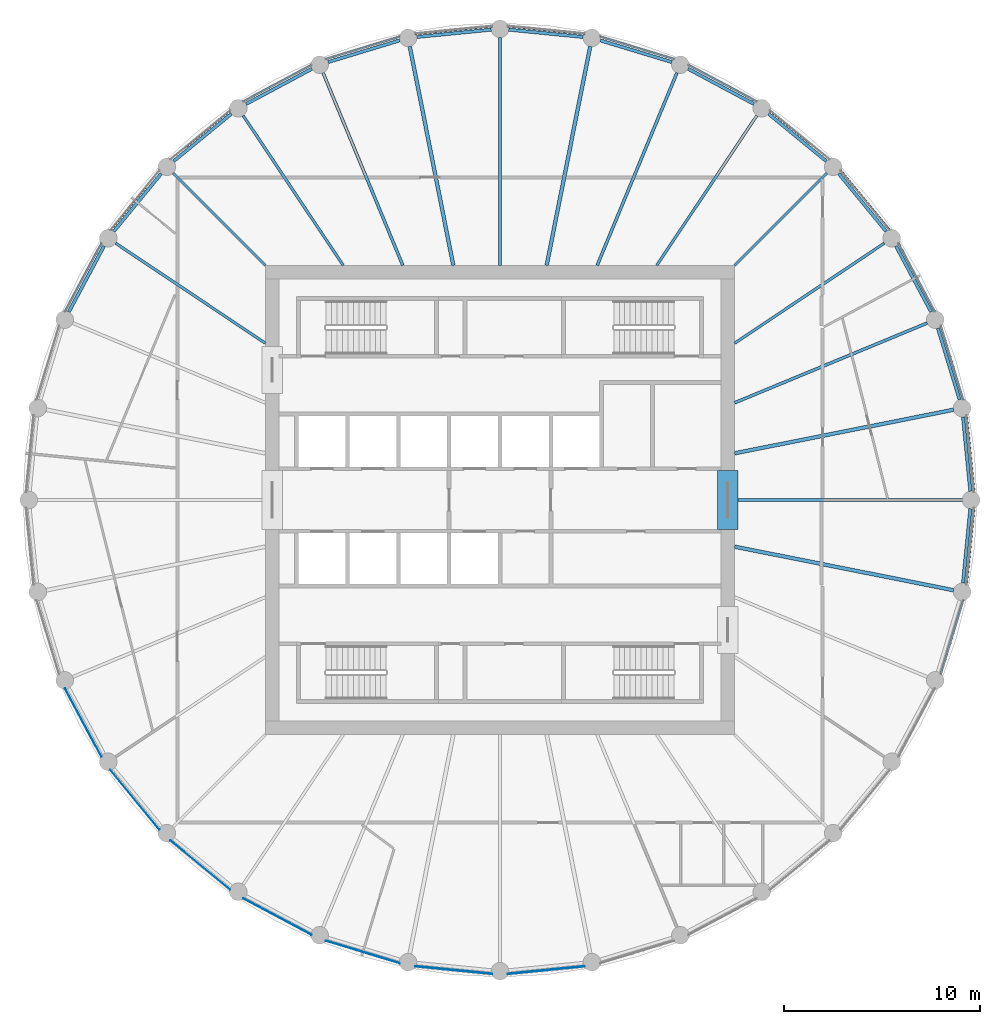
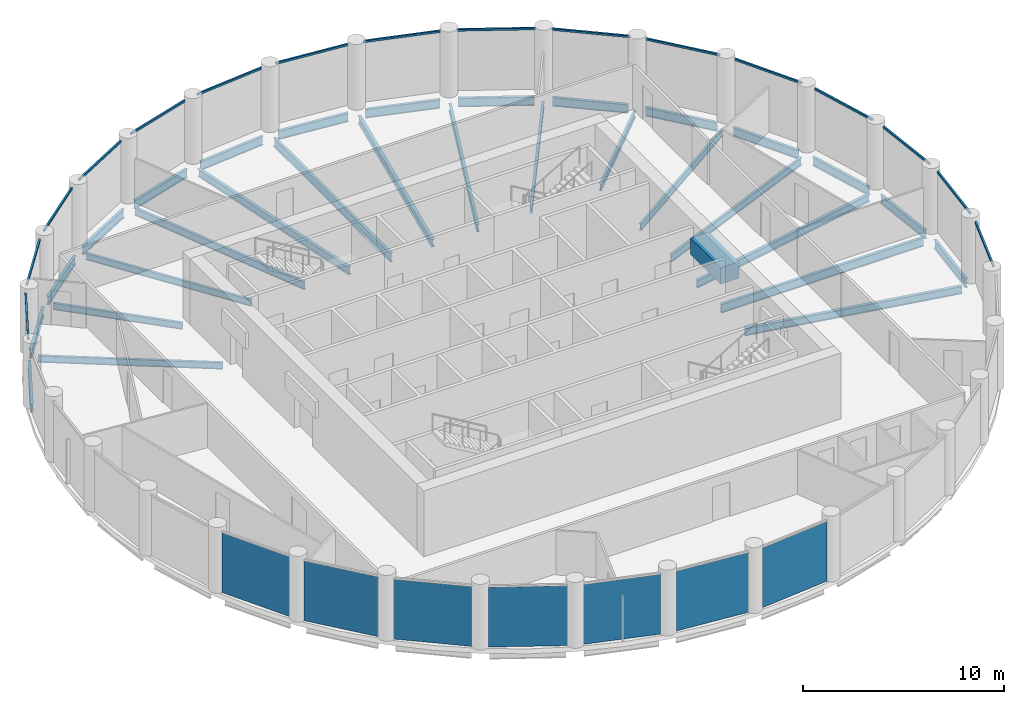
# One storey, part 2 of 7: 31 beams, 16 members, 7 plates, 23 elements without a shape of their own.
"""IFC4 building model written with IfcOpenShell, lengths in metres."""

from ifc_helpers import new_model, si_unit, direction, frame, origin, origin_2d, place, context, subcontext, project, spatial, rectangle, i_section, extrude, material, layer, layer_set, material_profile, profile_set, type_object, element, aggregate, save


model = new_model("IFC4")

# Units and contexts
model_context = context("Model", 3, precision=1e-05, world=origin(), true_north=direction((0.0, 1.0)))
body_context = subcontext(model_context, "Body", "Model", "MODEL_VIEW")
ifc_project = project(units=[si_unit("LENGTHUNIT", "METRE"), si_unit("AREAUNIT", "SQUARE_METRE"), si_unit("VOLUMEUNIT", "CUBIC_METRE"), si_unit("PLANEANGLEUNIT", "RADIAN"), si_unit("MASSUNIT", "GRAM", prefix="KILO")], contexts=[model_context])

# Site, building, storey
site_placement = place(None, origin())
site = spatial("IfcSite", under=ifc_project, at=site_placement, CompositionType="ELEMENT")
building_placement = place(site_placement, origin())
building = spatial("IfcBuilding", under=site, at=building_placement, Name="Corvane Civic Tower", CompositionType="ELEMENT")
storey_placement = place(building_placement, frame((0.0, 0.0, 271.0)))
storey = spatial("IfcBuildingStorey", under=building, at=storey_placement, Name="L64", CompositionType="ELEMENT", Elevation=271.0)

# Beams
ifc_material_1 = material(Name="Concrete C40/50", Category="concrete")
ifc_material_profile_1 = material_profile(ifc_material_1, rectangle(XDim=1.050048828125, YDim=1.0, at=origin_2d()), Name="COUPLING BEAM 1050X1000")
ifc_profile_set_1 = profile_set([ifc_material_profile_1], Name="Concrete C40/50")
beam_type_1 = type_object("IfcBeamType", Name="COUPLING BEAM COUPLING BEAM 1050X1000", PredefinedType="BEAM", material=ifc_profile_set_1)
beam_1_placement = place(storey_placement, frame((11.64990234375, -1.5, 2.60009765625), z_axis=(0.0, 1.0, 0.0), x_axis=(-1.0, 0.0, 0.0)))
element("IfcBeam", 1, at=beam_1_placement, inside=storey, type_object=beam_type_1, Name="BM-L64-cpl-CW-LE", PredefinedType="BEAM", context=body_context, shape_type="SweptSolid", body=[
    extrude(rectangle(XDim=1.050048828125, YDim=1.0, at=origin_2d()), origin(), (0.0, 0.0, 1.0), 3.0),
])
ifc_material_2 = material(Name="Steel ASTM A992 Gr 50", Category="steel")
ifc_material_profile_2 = material_profile(ifc_material_2, i_section(OverallWidth=0.165771484375, OverallDepth=0.5283203125, WebThickness=0.009765625, FlangeThickness=0.013671875, at=origin_2d()), Name="W21X50")
ifc_profile_set_2 = profile_set([ifc_material_profile_2], Name="Steel ASTM A992 Gr 50")
beam_type_2 = type_object("IfcBeamType", Name="EDGE BEAM W21X50", PredefinedType="BEAM", material=ifc_profile_set_2)
for number, where, z_axis, x_axis, name in (
    (2, (0.44775390625, 24.055908203125, -0.564208984375), (0.995187721162, -0.097986732007, 0.0), (0.097986732007, 0.995187721162, 0.0), "BM-L64-E01"),
    (3, (5.13232421875, 23.50634765625, -0.564208984375), (0.95692555902, -0.290333385085, 0.0), (0.290333385085, 0.95692555902, 0.0), "BM-L64-E02"),
):
    element("IfcBeam", number, at=place(storey_placement, frame(where, z_axis=z_axis, x_axis=x_axis)), inside=storey, type_object=beam_type_2, Name=name, PredefinedType="BEAM", context=body_context, shape_type="SweptSolid", body=[
        extrude(i_section(OverallWidth=0.165771484375, OverallDepth=0.5283203125, WebThickness=0.009765625, FlangeThickness=0.013671875, at=origin_2d()), origin(), (0.0, 0.0, 1.0), 3.824462890625),
    ])
beam_2_placement = place(storey_placement, frame((9.61962890625, 22.05322265625, -0.564208984375), z_axis=(0.881914279413, -0.471409804487, 0.0), x_axis=(0.471409804487, 0.881914279413, 0.0)))
element("IfcBeam", 4, at=beam_2_placement, inside=storey, type_object=beam_type_2, Name="BM-L64-E03", PredefinedType="BEAM", context=body_context, shape_type="SweptSolid", body=[
    extrude(i_section(OverallWidth=0.165771484375, OverallDepth=0.5283203125, WebThickness=0.009765625, FlangeThickness=0.013671875, at=origin_2d()), origin(), (0.0, 0.0, 1.0), 3.82421875),
])
for number, where, z_axis, x_axis, name in (
    (5, (13.737060546875, 19.7529296875, -0.564208984375), (0.772997914867, -0.634408562057, 0.0), (0.634408562057, 0.772997914867, 0.0), "BM-L64-E04"),
    (6, (17.32666015625, 16.693359375, -0.564208984375), (0.634408562057, -0.772997914867, 0.0), (0.772997914867, 0.634408562057, 0.0), "BM-L64-E05"),
):
    element("IfcBeam", number, at=place(storey_placement, frame(where, z_axis=z_axis, x_axis=x_axis)), inside=storey, type_object=beam_type_2, Name=name, PredefinedType="BEAM", context=body_context, shape_type="SweptSolid", body=[
        extrude(i_section(OverallWidth=0.165771484375, OverallDepth=0.5283203125, WebThickness=0.009765625, FlangeThickness=0.013671875, at=origin_2d()), origin(), (0.0, 0.0, 1.0), 3.824462890625),
    ])
beam_3_placement = place(storey_placement, frame((20.25048828125, 12.9921875, -0.564208984375), z_axis=(0.471409804487, -0.881914279413, 0.0), x_axis=(0.881914279413, 0.471409804487, 0.0)))
element("IfcBeam", 7, at=beam_3_placement, inside=storey, type_object=beam_type_2, Name="BM-L64-E06", PredefinedType="BEAM", context=body_context, shape_type="SweptSolid", body=[
    extrude(i_section(OverallWidth=0.165771484375, OverallDepth=0.5283203125, WebThickness=0.009765625, FlangeThickness=0.013671875, at=origin_2d()), origin(), (0.0, 0.0, 1.0), 3.82421875),
])
for number, where, z_axis, x_axis, name in (
    (8, (22.39599609375, 8.7919921875, -0.564208984375), (0.290333385085, -0.95692555902, 0.0), (0.95692555902, 0.290333385085, 0.0), "BM-L64-E07"),
    (9, (23.68115234375, 4.25390625, -0.564208984375), (0.097986732007, -0.995187721162, 0.0), (0.995187721162, 0.097986732007, 0.0), "BM-L64-E08"),
    (10, (24.055908203125, -0.44775390625, -0.564208984375), (-0.097986732007, -0.995187721162, 0.0), (0.995187721162, -0.097986732007, 0.0), "BM-L64-E09"),
):
    element("IfcBeam", number, at=place(storey_placement, frame(where, z_axis=z_axis, x_axis=x_axis)), inside=storey, type_object=beam_type_2, Name=name, PredefinedType="BEAM", context=body_context, shape_type="SweptSolid", body=[
        extrude(i_section(OverallWidth=0.165771484375, OverallDepth=0.5283203125, WebThickness=0.009765625, FlangeThickness=0.013671875, at=origin_2d()), origin(), (0.0, 0.0, 1.0), 3.824462890625),
    ])
beam_4_placement = place(storey_placement, frame((-22.05322265625, 9.61962890625, -0.564208984375), z_axis=(0.471409804487, 0.881914279413, 0.0), x_axis=(-0.881914279413, 0.471409804487, 0.0)))
element("IfcBeam", 11, at=beam_4_placement, inside=storey, type_object=beam_type_2, Name="BM-L64-E27", PredefinedType="BEAM", context=body_context, shape_type="SweptSolid", body=[
    extrude(i_section(OverallWidth=0.165771484375, OverallDepth=0.5283203125, WebThickness=0.009765625, FlangeThickness=0.013671875, at=origin_2d()), origin(), (0.0, 0.0, 1.0), 3.82421875),
])
for number, where, z_axis, x_axis, name in (
    (12, (-19.7529296875, 13.737060546875, -0.564208984375), (0.634408562057, 0.772997914867, 0.0), (-0.772997914867, 0.634408562057, 0.0), "BM-L64-E28"),
    (13, (-16.693359375, 17.32666015625, -0.564208984375), (0.772997914867, 0.634408562057, 0.0), (-0.634408562057, 0.772997914867, 0.0), "BM-L64-E29"),
):
    element("IfcBeam", number, at=place(storey_placement, frame(where, z_axis=z_axis, x_axis=x_axis)), inside=storey, type_object=beam_type_2, Name=name, PredefinedType="BEAM", context=body_context, shape_type="SweptSolid", body=[
        extrude(i_section(OverallWidth=0.165771484375, OverallDepth=0.5283203125, WebThickness=0.009765625, FlangeThickness=0.013671875, at=origin_2d()), origin(), (0.0, 0.0, 1.0), 3.824462890625),
    ])
beam_5_placement = place(storey_placement, frame((-12.9921875, 20.25048828125, -0.564208984375), z_axis=(0.881914279413, 0.471409804487, 0.0), x_axis=(-0.471409804487, 0.881914279413, 0.0)))
element("IfcBeam", 14, at=beam_5_placement, inside=storey, type_object=beam_type_2, Name="BM-L64-E30", PredefinedType="BEAM", context=body_context, shape_type="SweptSolid", body=[
    extrude(i_section(OverallWidth=0.165771484375, OverallDepth=0.5283203125, WebThickness=0.009765625, FlangeThickness=0.013671875, at=origin_2d()), origin(), (0.0, 0.0, 1.0), 3.82421875),
])
for number, where, z_axis, x_axis, name in (
    (15, (-8.7919921875, 22.39599609375, -0.564208984375), (0.95692555902, 0.290333385085, 0.0), (-0.290333385085, 0.95692555902, 0.0), "BM-L64-E31"),
    (16, (-4.25390625, 23.68115234375, -0.564208984375), (0.995187721162, 0.097986732007, 0.0), (-0.097986732007, 0.995187721162, 0.0), "BM-L64-E32"),
):
    element("IfcBeam", number, at=place(storey_placement, frame(where, z_axis=z_axis, x_axis=x_axis)), inside=storey, type_object=beam_type_2, Name=name, PredefinedType="BEAM", context=body_context, shape_type="SweptSolid", body=[
        extrude(i_section(OverallWidth=0.165771484375, OverallDepth=0.5283203125, WebThickness=0.009765625, FlangeThickness=0.013671875, at=origin_2d()), origin(), (0.0, 0.0, 1.0), 3.824462890625),
    ])
ifc_material_3 = material(Name="Steel ASTM A992 Gr 50", Category="steel")
ifc_material_profile_3 = material_profile(ifc_material_3, i_section(OverallWidth=0.140380859375, OverallDepth=0.40380859375, WebThickness=0.007080078125, FlangeThickness=0.01123046875, at=origin_2d()), Name="W16X31")
ifc_profile_set_3 = profile_set([ifc_material_profile_3], Name="Steel ASTM A992 Gr 50")
beam_type_3 = type_object("IfcBeamType", Name="FLOOR GIRDER W16X31", PredefinedType="BEAM", material=ifc_profile_set_3)
beam_6_placement = place(storey_placement, frame((8.01806640625, 12.0, -0.501953125), z_axis=(0.555567816355, 0.831471227061, 0.0), x_axis=(-0.831471227061, 0.555567816355, 0.0)))
element("IfcBeam", 17, at=beam_6_placement, inside=storey, type_object=beam_type_3, Name="BM-L64-G04", PredefinedType="BEAM", context=body_context, shape_type="SweptSolid", body=[
    extrude(i_section(OverallWidth=0.140380859375, OverallDepth=0.40380859375, WebThickness=0.007080078125, FlangeThickness=0.01123046875, at=origin_2d()), origin(), (0.0, 0.0, 1.0), 9.2177734375),
])
beam_7_placement = place(storey_placement, frame((12.0, 12.0, -0.501953125), z_axis=(0.707106781187, 0.707106781187, 0.0), x_axis=(-0.707106781187, 0.707106781187, 0.0)))
element("IfcBeam", 18, at=beam_7_placement, inside=storey, type_object=beam_type_3, Name="BM-L64-G05", PredefinedType="BEAM", context=body_context, shape_type="SweptSolid", body=[
    extrude(i_section(OverallWidth=0.140380859375, OverallDepth=0.40380859375, WebThickness=0.007080078125, FlangeThickness=0.01123046875, at=origin_2d()), origin(), (0.0, 0.0, 1.0), 6.679443359375),
])
for number, where, z_axis, x_axis, name in (
    (19, (12.0, 8.01806640625, -0.501953125), (0.831471227061, 0.555567816355, 0.0), (-0.555567816355, 0.831471227061, 0.0), "BM-L64-G06"),
    (20, (-12.0, 8.01806640625, -0.501953125), (-0.831471227061, 0.555567816355, 0.0), (-0.555567816355, -0.831471227061, 0.0), "BM-L64-G28"),
):
    element("IfcBeam", number, at=place(storey_placement, frame(where, z_axis=z_axis, x_axis=x_axis)), inside=storey, type_object=beam_type_3, Name=name, PredefinedType="BEAM", context=body_context, shape_type="SweptSolid", body=[
        extrude(i_section(OverallWidth=0.140380859375, OverallDepth=0.40380859375, WebThickness=0.007080078125, FlangeThickness=0.01123046875, at=origin_2d()), origin(), (0.0, 0.0, 1.0), 9.2177734375),
    ])
beam_8_placement = place(storey_placement, frame((-12.0, 12.0, -0.501953125), z_axis=(-0.707106781187, 0.707106781187, 0.0), x_axis=(-0.707106781187, -0.707106781187, 0.0)))
element("IfcBeam", 21, at=beam_8_placement, inside=storey, type_object=beam_type_3, Name="BM-L64-G29", PredefinedType="BEAM", context=body_context, shape_type="SweptSolid", body=[
    extrude(i_section(OverallWidth=0.140380859375, OverallDepth=0.40380859375, WebThickness=0.007080078125, FlangeThickness=0.01123046875, at=origin_2d()), origin(), (0.0, 0.0, 1.0), 6.679443359375),
])
beam_9_placement = place(storey_placement, frame((-8.01806640625, 12.0, -0.501953125), z_axis=(-0.555567816355, 0.831471227061, 0.0), x_axis=(-0.831471227061, -0.555567816355, 0.0)))
element("IfcBeam", 22, at=beam_9_placement, inside=storey, type_object=beam_type_3, Name="BM-L64-G30", PredefinedType="BEAM", context=body_context, shape_type="SweptSolid", body=[
    extrude(i_section(OverallWidth=0.140380859375, OverallDepth=0.40380859375, WebThickness=0.007080078125, FlangeThickness=0.01123046875, at=origin_2d()), origin(), (0.0, 0.0, 1.0), 9.2177734375),
])
ifc_material_4 = material(Name="Steel ASTM A992 Gr 50", Category="steel")
ifc_material_profile_4 = material_profile(ifc_material_4, i_section(OverallWidth=0.15283203125, OverallDepth=0.45458984375, WebThickness=0.008056640625, FlangeThickness=0.013427734375, at=origin_2d()), Name="W18X40")
ifc_profile_set_4 = profile_set([ifc_material_profile_4], Name="Steel ASTM A992 Gr 50")
beam_type_4 = type_object("IfcBeamType", Name="FLOOR GIRDER W18X40", PredefinedType="BEAM", material=ifc_profile_set_4)
for number, where, z_axis, x_axis, name in (
    (23, (4.970458984375, 12.0, -0.52734375), (0.382694257331, 0.923875048589, 0.0), (-0.923875048589, 0.382694257331, 0.0), "BM-L64-G03"),
    (24, (12.0, 4.970458984375, -0.52734375), (0.923875048589, 0.382694257331, 0.0), (-0.382694257331, 0.923875048589, 0.0), "BM-L64-G07"),
    (25, (-4.970458984375, 12.0, -0.52734375), (-0.382694257331, 0.923875048589, 0.0), (-0.923875048589, -0.382694257331, 0.0), "BM-L64-G31"),
):
    element("IfcBeam", number, at=place(storey_placement, frame(where, z_axis=z_axis, x_axis=x_axis)), inside=storey, type_object=beam_type_4, Name=name, PredefinedType="BEAM", context=body_context, shape_type="SweptSolid", body=[
        extrude(i_section(OverallWidth=0.15283203125, OverallDepth=0.45458984375, WebThickness=0.008056640625, FlangeThickness=0.013427734375, at=origin_2d()), origin(), (0.0, 0.0, 1.0), 10.661376953125),
    ])
ifc_material_5 = material(Name="Steel ASTM A992 Gr 50", Category="steel")
ifc_material_profile_5 = material_profile(ifc_material_5, i_section(OverallWidth=0.1904296875, OverallDepth=0.457275390625, WebThickness=0.009033203125, FlangeThickness=0.014404296875, at=origin_2d()), Name="W18X50")
ifc_profile_set_5 = profile_set([ifc_material_profile_5], Name="Steel ASTM A992 Gr 50")
beam_type_5 = type_object("IfcBeamType", Name="FLOOR GIRDER W18X50", PredefinedType="BEAM", material=ifc_profile_set_5)
for number, where, z_axis, x_axis, name in (
    (26, (2.386962890625, 12.0, -0.528564453125), (0.195079532402, 0.980787426529, 0.0), (-0.980787426529, 0.195079532402, 0.0), "BM-L64-G02"),
    (27, (12.0, 2.386962890625, -0.528564453125), (0.980787426529, 0.195079532402, 0.0), (-0.195079532402, 0.980787426529, 0.0), "BM-L64-G08"),
    (28, (12.0, -2.386962890625, -0.528564453125), (0.980787426529, -0.195079532402, 0.0), (0.195079532402, 0.980787426529, 0.0), "BM-L64-G10"),
    (29, (-2.386962890625, 12.0, -0.528564453125), (-0.195079532402, 0.980787426529, 0.0), (-0.980787426529, -0.195079532402, 0.0), "BM-L64-G32"),
):
    element("IfcBeam", number, at=place(storey_placement, frame(where, z_axis=z_axis, x_axis=x_axis)), inside=storey, type_object=beam_type_5, Name=name, PredefinedType="BEAM", context=body_context, shape_type="SweptSolid", body=[
        extrude(i_section(OverallWidth=0.1904296875, OverallDepth=0.457275390625, WebThickness=0.009033203125, FlangeThickness=0.014404296875, at=origin_2d()), origin(), (0.0, 0.0, 1.0), 11.414794921875),
    ])
ifc_material_6 = material(Name="Steel ASTM A992 Gr 50", Category="steel")
ifc_material_profile_6 = material_profile(ifc_material_6, i_section(OverallWidth=0.165771484375, OverallDepth=0.5283203125, WebThickness=0.009765625, FlangeThickness=0.013671875, at=origin_2d()), Name="W21X50")
ifc_profile_set_6 = profile_set([ifc_material_profile_6], Name="Steel ASTM A992 Gr 50")
beam_type_6 = type_object("IfcBeamType", Name="FLOOR GIRDER W21X50", PredefinedType="BEAM", material=ifc_profile_set_6)
for number, where, z_axis, x_axis, name in (
    (30, (0.0, 12.0, -0.564208984375), (0.0, 1.0, 0.0), (-1.0, 0.0, 0.0), "BM-L64-G01"),
    (31, (12.0, 0.0, -0.564208984375), (1.0, 0.0, 0.0), (0.0, 1.0, 0.0), "BM-L64-G09"),
):
    element("IfcBeam", number, at=place(storey_placement, frame(where, z_axis=z_axis, x_axis=x_axis)), inside=storey, type_object=beam_type_6, Name=name, PredefinedType="BEAM", context=body_context, shape_type="SweptSolid", body=[
        extrude(i_section(OverallWidth=0.165771484375, OverallDepth=0.5283203125, WebThickness=0.009765625, FlangeThickness=0.013671875, at=origin_2d()), origin(), (0.0, 0.0, 1.0), 11.64990234375),
    ])

# Curtain wall, member
ifc_material_7 = material(Name="Anodised aluminium bronze", Category="aluminium")
curtain_wall_type = type_object("IfcCurtainWallType", Name="TOWER CW-T3 STICK CURTAIN WALL", PredefinedType="NOTDEFINED", material=ifc_material_7)
curtain_wall_1_placement = place(storey_placement, origin())
curtain_wall_1 = element("IfcCurtainWall", 32, at=curtain_wall_1_placement, inside=storey, type_object=curtain_wall_type, Name="Curtain wall CW-T3 L64 bay 01", PredefinedType="NOTDEFINED")
ifc_material_8 = material(Name="Anodised aluminium bronze", Category="aluminium")
ifc_material_profile_7 = material_profile(ifc_material_8, rectangle(XDim=0.10009765625, YDim=0.1201171875, at=origin_2d()), Name="TOWER CW-T3 TRANSOM 100x120")
ifc_profile_set_7 = profile_set([ifc_material_profile_7], Name="Anodised aluminium bronze")
member_type = type_object("IfcMemberType", Name="TOWER CW-T3 TRANSOM 100x120", PredefinedType="USERDEFINED", material=ifc_profile_set_7)
member_1_placement = place(storey_placement, frame((0.3984375, 24.24072265625, 3.68994140625), z_axis=(0.995186866683, -0.097995409999, 0.0), x_axis=(0.097995409999, 0.995186866683, 0.0)))
member_1 = element("IfcMember", 33, at=member_1_placement, type_object=member_type, Name="Transom CW-T3 L64 01.1", ObjectType="TRANSOM", PredefinedType="USERDEFINED", context=body_context, shape_type="SweptSolid", body=[
    extrude(rectangle(XDim=0.10009765625, YDim=0.1201171875, at=origin_2d()), origin(), (0.0, 0.0, 1.0), 3.958740234375),
])
aggregate(curtain_wall_1, [member_1])

curtain_wall_2_placement = place(storey_placement, origin())
curtain_wall_2 = element("IfcCurtainWall", 34, at=curtain_wall_2_placement, inside=storey, type_object=curtain_wall_type, Name="Curtain wall CW-T3 L64 bay 02", PredefinedType="NOTDEFINED")
member_2_placement = place(storey_placement, frame((5.119873046875, 23.697265625, 3.68994140625), z_axis=(0.956946054205, -0.290265825309, 0.0), x_axis=(0.290265825309, 0.956946054205, 0.0)))
member_2 = element("IfcMember", 35, at=member_2_placement, type_object=member_type, Name="Transom CW-T3 L64 02.1", ObjectType="TRANSOM", PredefinedType="USERDEFINED", context=body_context, shape_type="SweptSolid", body=[
    extrude(rectangle(XDim=0.10009765625, YDim=0.1201171875, at=origin_2d()), origin(), (0.0, 0.0, 1.0), 3.958984375),
])
aggregate(curtain_wall_2, [member_2])

curtain_wall_3_placement = place(storey_placement, origin())
curtain_wall_3 = element("IfcCurtainWall", 36, at=curtain_wall_3_placement, inside=storey, type_object=curtain_wall_type, Name="Curtain wall CW-T3 L64 bay 03", PredefinedType="NOTDEFINED")
member_3_placement = place(storey_placement, frame((9.644775390625, 22.2431640625, 3.68994140625), z_axis=(0.881883040816, -0.471468241052, 0.0), x_axis=(0.471468241052, 0.881883040816, 0.0)))
member_3 = element("IfcMember", 37, at=member_3_placement, type_object=member_type, Name="Transom CW-T3 L64 03.1", ObjectType="TRANSOM", PredefinedType="USERDEFINED", context=body_context, shape_type="SweptSolid", body=[
    extrude(rectangle(XDim=0.10009765625, YDim=0.1201171875, at=origin_2d()), origin(), (0.0, 0.0, 1.0), 3.958740234375),
])
aggregate(curtain_wall_3, [member_3])

curtain_wall_4_placement = place(storey_placement, origin())
curtain_wall_4 = element("IfcCurtainWall", 38, at=curtain_wall_4_placement, inside=storey, type_object=curtain_wall_type, Name="Curtain wall CW-T3 L64 bay 04", PredefinedType="NOTDEFINED")
member_4_placement = place(storey_placement, frame((13.798828125, 19.93408203125, 3.68994140625), z_axis=(0.772991943051, -0.634415838373, 0.0), x_axis=(0.634415838373, 0.772991943051, 0.0)))
member_4 = element("IfcMember", 39, at=member_4_placement, type_object=member_type, Name="Transom CW-T3 L64 04.1", ObjectType="TRANSOM", PredefinedType="USERDEFINED", context=body_context, shape_type="SweptSolid", body=[
    extrude(rectangle(XDim=0.10009765625, YDim=0.1201171875, at=origin_2d()), origin(), (0.0, 0.0, 1.0), 3.958740234375),
])
aggregate(curtain_wall_4, [member_4])

curtain_wall_5_placement = place(storey_placement, origin())
curtain_wall_5 = element("IfcCurtainWall", 40, at=curtain_wall_5_placement, inside=storey, type_object=curtain_wall_type, Name="Curtain wall CW-T3 L64 bay 05", PredefinedType="NOTDEFINED")
member_5_placement = place(storey_placement, frame((17.422607421875, 16.85888671875, 3.68994140625), z_axis=(0.634415838373, -0.772991943051, 0.0), x_axis=(0.772991943051, 0.634415838373, 0.0)))
member_5 = element("IfcMember", 41, at=member_5_placement, type_object=member_type, Name="Transom CW-T3 L64 05.1", ObjectType="TRANSOM", PredefinedType="USERDEFINED", context=body_context, shape_type="SweptSolid", body=[
    extrude(rectangle(XDim=0.10009765625, YDim=0.1201171875, at=origin_2d()), origin(), (0.0, 0.0, 1.0), 3.958740234375),
])
aggregate(curtain_wall_5, [member_5])

curtain_wall_6_placement = place(storey_placement, origin())
curtain_wall_6 = element("IfcCurtainWall", 42, at=curtain_wall_6_placement, inside=storey, type_object=curtain_wall_type, Name="Curtain wall CW-T3 L64 bay 06", PredefinedType="NOTDEFINED")
member_6_placement = place(storey_placement, frame((20.376708984375, 13.135986328125, 3.68994140625), z_axis=(0.471468241052, -0.881883040816, 0.0), x_axis=(0.881883040816, 0.471468241052, 0.0)))
member_6 = element("IfcMember", 43, at=member_6_placement, type_object=member_type, Name="Transom CW-T3 L64 06.1", ObjectType="TRANSOM", PredefinedType="USERDEFINED", context=body_context, shape_type="SweptSolid", body=[
    extrude(rectangle(XDim=0.10009765625, YDim=0.1201171875, at=origin_2d()), origin(), (0.0, 0.0, 1.0), 3.958740234375),
])
aggregate(curtain_wall_6, [member_6])

curtain_wall_7_placement = place(storey_placement, origin())
curtain_wall_7 = element("IfcCurtainWall", 44, at=curtain_wall_7_placement, inside=storey, type_object=curtain_wall_type, Name="Curtain wall CW-T3 L64 bay 07", PredefinedType="NOTDEFINED")
member_7_placement = place(storey_placement, frame((22.548095703125, 8.908447265625, 3.68994140625), z_axis=(0.290265825309, -0.956946054205, 0.0), x_axis=(0.956946054205, 0.290265825309, 0.0)))
member_7 = element("IfcMember", 45, at=member_7_placement, type_object=member_type, Name="Transom CW-T3 L64 07.1", ObjectType="TRANSOM", PredefinedType="USERDEFINED", context=body_context, shape_type="SweptSolid", body=[
    extrude(rectangle(XDim=0.10009765625, YDim=0.1201171875, at=origin_2d()), origin(), (0.0, 0.0, 1.0), 3.958984375),
])
aggregate(curtain_wall_7, [member_7])

curtain_wall_8_placement = place(storey_placement, origin())
curtain_wall_8 = element("IfcCurtainWall", 46, at=curtain_wall_8_placement, inside=storey, type_object=curtain_wall_type, Name="Curtain wall CW-T3 L64 bay 08", PredefinedType="NOTDEFINED")
member_8_placement = place(storey_placement, frame((23.852783203125, 4.338134765625, 3.68994140625), z_axis=(0.097995409999, -0.995186866683, 0.0), x_axis=(0.995186866683, 0.097995409999, 0.0)))
member_8 = element("IfcMember", 47, at=member_8_placement, type_object=member_type, Name="Transom CW-T3 L64 08.1", ObjectType="TRANSOM", PredefinedType="USERDEFINED", context=body_context, shape_type="SweptSolid", body=[
    extrude(rectangle(XDim=0.10009765625, YDim=0.1201171875, at=origin_2d()), origin(), (0.0, 0.0, 1.0), 3.958740234375),
])
aggregate(curtain_wall_8, [member_8])

curtain_wall_9_placement = place(storey_placement, origin())
curtain_wall_9 = element("IfcCurtainWall", 48, at=curtain_wall_9_placement, inside=storey, type_object=curtain_wall_type, Name="Curtain wall CW-T3 L64 bay 09", PredefinedType="NOTDEFINED")
member_9_placement = place(storey_placement, frame((24.24072265625, -0.3984375, 3.68994140625), z_axis=(-0.097995409999, -0.995186866683, 0.0), x_axis=(0.995186866683, -0.097995409999, 0.0)))
member_9 = element("IfcMember", 49, at=member_9_placement, type_object=member_type, Name="Transom CW-T3 L64 09.1", ObjectType="TRANSOM", PredefinedType="USERDEFINED", context=body_context, shape_type="SweptSolid", body=[
    extrude(rectangle(XDim=0.10009765625, YDim=0.1201171875, at=origin_2d()), origin(), (0.0, 0.0, 1.0), 3.958740234375),
])
aggregate(curtain_wall_9, [member_9])

curtain_wall_10_placement = place(storey_placement, origin())
curtain_wall_10 = element("IfcCurtainWall", 50, at=curtain_wall_10_placement, inside=storey, type_object=curtain_wall_type, Name="Curtain wall CW-T3 L64 bay 10", PredefinedType="NOTDEFINED")
member_10_placement = place(storey_placement, frame((23.697265625, -5.119873046875, 3.68994140625), z_axis=(-0.290265825309, -0.956946054205, 0.0), x_axis=(0.956946054205, -0.290265825309, 0.0)))
member_10 = element("IfcMember", 51, at=member_10_placement, type_object=member_type, Name="Transom CW-T3 L64 10.1", ObjectType="TRANSOM", PredefinedType="USERDEFINED", context=body_context, shape_type="SweptSolid", body=[
    extrude(rectangle(XDim=0.10009765625, YDim=0.1201171875, at=origin_2d()), origin(), (0.0, 0.0, 1.0), 3.958984375),
])
aggregate(curtain_wall_10, [member_10])

curtain_wall_11_placement = place(storey_placement, origin())
curtain_wall_11 = element("IfcCurtainWall", 52, at=curtain_wall_11_placement, inside=storey, type_object=curtain_wall_type, Name="Curtain wall CW-T3 L64 bay 27", PredefinedType="NOTDEFINED")
member_11_placement = place(storey_placement, frame((-22.2431640625, 9.644775390625, 3.68994140625), z_axis=(0.471468241052, 0.881883040816, 0.0), x_axis=(-0.881883040816, 0.471468241052, 0.0)))
member_11 = element("IfcMember", 53, at=member_11_placement, type_object=member_type, Name="Transom CW-T3 L64 27.1", ObjectType="TRANSOM", PredefinedType="USERDEFINED", context=body_context, shape_type="SweptSolid", body=[
    extrude(rectangle(XDim=0.10009765625, YDim=0.1201171875, at=origin_2d()), origin(), (0.0, 0.0, 1.0), 3.958740234375),
])
aggregate(curtain_wall_11, [member_11])

curtain_wall_12_placement = place(storey_placement, origin())
curtain_wall_12 = element("IfcCurtainWall", 54, at=curtain_wall_12_placement, inside=storey, type_object=curtain_wall_type, Name="Curtain wall CW-T3 L64 bay 28", PredefinedType="NOTDEFINED")
member_12_placement = place(storey_placement, frame((-19.93408203125, 13.798828125, 3.68994140625), z_axis=(0.634415838373, 0.772991943051, 0.0), x_axis=(-0.772991943051, 0.634415838373, 0.0)))
member_12 = element("IfcMember", 55, at=member_12_placement, type_object=member_type, Name="Transom CW-T3 L64 28.1", ObjectType="TRANSOM", PredefinedType="USERDEFINED", context=body_context, shape_type="SweptSolid", body=[
    extrude(rectangle(XDim=0.10009765625, YDim=0.1201171875, at=origin_2d()), origin(), (0.0, 0.0, 1.0), 3.958740234375),
])
aggregate(curtain_wall_12, [member_12])

curtain_wall_13_placement = place(storey_placement, origin())
curtain_wall_13 = element("IfcCurtainWall", 56, at=curtain_wall_13_placement, inside=storey, type_object=curtain_wall_type, Name="Curtain wall CW-T3 L64 bay 29", PredefinedType="NOTDEFINED")
member_13_placement = place(storey_placement, frame((-16.85888671875, 17.422607421875, 3.68994140625), z_axis=(0.772991943051, 0.634415838373, 0.0), x_axis=(-0.634415838373, 0.772991943051, 0.0)))
member_13 = element("IfcMember", 57, at=member_13_placement, type_object=member_type, Name="Transom CW-T3 L64 29.1", ObjectType="TRANSOM", PredefinedType="USERDEFINED", context=body_context, shape_type="SweptSolid", body=[
    extrude(rectangle(XDim=0.10009765625, YDim=0.1201171875, at=origin_2d()), origin(), (0.0, 0.0, 1.0), 3.958740234375),
])
aggregate(curtain_wall_13, [member_13])

curtain_wall_14_placement = place(storey_placement, origin())
curtain_wall_14 = element("IfcCurtainWall", 58, at=curtain_wall_14_placement, inside=storey, type_object=curtain_wall_type, Name="Curtain wall CW-T3 L64 bay 30", PredefinedType="NOTDEFINED")
member_14_placement = place(storey_placement, frame((-13.135986328125, 20.376708984375, 3.68994140625), z_axis=(0.881883040816, 0.471468241052, 0.0), x_axis=(-0.471468241052, 0.881883040816, 0.0)))
member_14 = element("IfcMember", 59, at=member_14_placement, type_object=member_type, Name="Transom CW-T3 L64 30.1", ObjectType="TRANSOM", PredefinedType="USERDEFINED", context=body_context, shape_type="SweptSolid", body=[
    extrude(rectangle(XDim=0.10009765625, YDim=0.1201171875, at=origin_2d()), origin(), (0.0, 0.0, 1.0), 3.958740234375),
])
aggregate(curtain_wall_14, [member_14])

curtain_wall_15_placement = place(storey_placement, origin())
curtain_wall_15 = element("IfcCurtainWall", 60, at=curtain_wall_15_placement, inside=storey, type_object=curtain_wall_type, Name="Curtain wall CW-T3 L64 bay 31", PredefinedType="NOTDEFINED")
member_15_placement = place(storey_placement, frame((-8.908447265625, 22.548095703125, 3.68994140625), z_axis=(0.956946054205, 0.290265825309, 0.0), x_axis=(-0.290265825309, 0.956946054205, 0.0)))
member_15 = element("IfcMember", 61, at=member_15_placement, type_object=member_type, Name="Transom CW-T3 L64 31.1", ObjectType="TRANSOM", PredefinedType="USERDEFINED", context=body_context, shape_type="SweptSolid", body=[
    extrude(rectangle(XDim=0.10009765625, YDim=0.1201171875, at=origin_2d()), origin(), (0.0, 0.0, 1.0), 3.958984375),
])
aggregate(curtain_wall_15, [member_15])

curtain_wall_16_placement = place(storey_placement, origin())
curtain_wall_16 = element("IfcCurtainWall", 62, at=curtain_wall_16_placement, inside=storey, type_object=curtain_wall_type, Name="Curtain wall CW-T3 L64 bay 32", PredefinedType="NOTDEFINED")
member_16_placement = place(storey_placement, frame((-4.338134765625, 23.852783203125, 3.68994140625), z_axis=(0.995186866683, 0.097995409999, 0.0), x_axis=(-0.097995409999, 0.995186866683, 0.0)))
member_16 = element("IfcMember", 63, at=member_16_placement, type_object=member_type, Name="Transom CW-T3 L64 32.1", ObjectType="TRANSOM", PredefinedType="USERDEFINED", context=body_context, shape_type="SweptSolid", body=[
    extrude(rectangle(XDim=0.10009765625, YDim=0.1201171875, at=origin_2d()), origin(), (0.0, 0.0, 1.0), 3.958740234375),
])
aggregate(curtain_wall_16, [member_16])

# Curtain wall, plate
curtain_wall_17_placement = place(storey_placement, origin())
curtain_wall_17 = element("IfcCurtainWall", 64, at=curtain_wall_17_placement, inside=storey, type_object=curtain_wall_type, Name="Curtain wall CW-T3 L64 bay 16", PredefinedType="NOTDEFINED")
ifc_material_9 = material(Name="Tinted glass", Category="glass")
ifc_layer = layer(ifc_material_9, 0.028076171875)
ifc_layer_set = layer_set([ifc_layer], Name="Tinted glass")
plate_type = type_object("IfcPlateType", Name="TOWER CW-T3 PANEL IGU28", PredefinedType="CURTAIN_PANEL", material=ifc_layer_set)
plate_1_placement = place(storey_placement, frame((2.368408203125, -24.046875, 0.0), z_axis=(0.0, 0.0, 1.0), x_axis=(-0.99518437747, -0.098020685775, 0.0)))
plate_1 = element("IfcPlate", 65, at=plate_1_placement, type_object=plate_type, Name="Glass panel CW-T3 L64 16.1", PredefinedType="CURTAIN_PANEL", context=body_context, shape_type="SweptSolid", body=[
    extrude(rectangle(XDim=3.958740234375, YDim=0.028076171875, at=origin_2d()), origin(), (0.0, 0.0, 1.0), 3.6298828125),
])
aggregate(curtain_wall_17, [plate_1])

curtain_wall_18_placement = place(storey_placement, origin())
curtain_wall_18 = element("IfcCurtainWall", 66, at=curtain_wall_18_placement, inside=storey, type_object=curtain_wall_type, Name="Curtain wall CW-T3 L64 bay 17", PredefinedType="NOTDEFINED")
plate_2_placement = place(storey_placement, frame((-2.368408203125, -24.046875, 0.0), z_axis=(0.0, 0.0, 1.0), x_axis=(-0.99518437747, 0.098020685775, 0.0)))
plate_2 = element("IfcPlate", 67, at=plate_2_placement, type_object=plate_type, Name="Glass panel CW-T3 L64 17.1", PredefinedType="CURTAIN_PANEL", context=body_context, shape_type="SweptSolid", body=[
    extrude(rectangle(XDim=3.958740234375, YDim=0.028076171875, at=origin_2d()), origin(), (0.0, 0.0, 1.0), 3.6298828125),
])
aggregate(curtain_wall_18, [plate_2])

curtain_wall_19_placement = place(storey_placement, origin())
curtain_wall_19 = element("IfcCurtainWall", 68, at=curtain_wall_19_placement, inside=storey, type_object=curtain_wall_type, Name="Curtain wall CW-T3 L64 bay 18", PredefinedType="NOTDEFINED")
plate_3_placement = place(storey_placement, frame((-7.01416015625, -23.12255859375, 0.0), z_axis=(0.0, 0.0, 1.0), x_axis=(-0.956943694519, 0.290273604586, 0.0)))
plate_3 = element("IfcPlate", 69, at=plate_3_placement, type_object=plate_type, Name="Glass panel CW-T3 L64 18.1", PredefinedType="CURTAIN_PANEL", context=body_context, shape_type="SweptSolid", body=[
    extrude(rectangle(XDim=3.958984375, YDim=0.028076171875, at=origin_2d()), origin(), (0.0, 0.0, 1.0), 3.6298828125),
])
aggregate(curtain_wall_19, [plate_3])

curtain_wall_20_placement = place(storey_placement, origin())
curtain_wall_20 = element("IfcCurtainWall", 70, at=curtain_wall_20_placement, inside=storey, type_object=curtain_wall_type, Name="Curtain wall CW-T3 L64 bay 19", PredefinedType="NOTDEFINED")
plate_4_placement = place(storey_placement, frame((-11.390380859375, -21.31005859375, 0.0), z_axis=(0.0, 0.0, 1.0), x_axis=(-0.881908138655, 0.471421292448, 0.0)))
plate_4 = element("IfcPlate", 71, at=plate_4_placement, type_object=plate_type, Name="Glass panel CW-T3 L64 19.1", PredefinedType="CURTAIN_PANEL", context=body_context, shape_type="SweptSolid", body=[
    extrude(rectangle(XDim=3.958740234375, YDim=0.028076171875, at=origin_2d()), origin(), (0.0, 0.0, 1.0), 3.6298828125),
])
aggregate(curtain_wall_20, [plate_4])

curtain_wall_21_placement = place(storey_placement, origin())
curtain_wall_21 = element("IfcCurtainWall", 72, at=curtain_wall_21_placement, inside=storey, type_object=curtain_wall_type, Name="Curtain wall CW-T3 L64 bay 20", PredefinedType="NOTDEFINED")
plate_5_placement = place(storey_placement, frame((-15.328857421875, -18.67822265625, 0.0), z_axis=(0.0, 0.0, 1.0), x_axis=(-0.773001130565, 0.634404643855, 0.0)))
plate_5 = element("IfcPlate", 73, at=plate_5_placement, type_object=plate_type, Name="Glass panel CW-T3 L64 20.1", PredefinedType="CURTAIN_PANEL", context=body_context, shape_type="SweptSolid", body=[
    extrude(rectangle(XDim=3.958740234375, YDim=0.028076171875, at=origin_2d()), origin(), (0.0, 0.0, 1.0), 3.6298828125),
])
aggregate(curtain_wall_21, [plate_5])

curtain_wall_22_placement = place(storey_placement, origin())
curtain_wall_22 = element("IfcCurtainWall", 74, at=curtain_wall_22_placement, inside=storey, type_object=curtain_wall_type, Name="Curtain wall CW-T3 L64 bay 21", PredefinedType="NOTDEFINED")
plate_6_placement = place(storey_placement, frame((-18.67822265625, -15.328857421875, 0.0), z_axis=(0.0, 0.0, 1.0), x_axis=(-0.634404643855, 0.773001130565, 0.0)))
plate_6 = element("IfcPlate", 75, at=plate_6_placement, type_object=plate_type, Name="Glass panel CW-T3 L64 21.1", PredefinedType="CURTAIN_PANEL", context=body_context, shape_type="SweptSolid", body=[
    extrude(rectangle(XDim=3.958740234375, YDim=0.028076171875, at=origin_2d()), origin(), (0.0, 0.0, 1.0), 3.6298828125),
])
aggregate(curtain_wall_22, [plate_6])

curtain_wall_23_placement = place(storey_placement, origin())
curtain_wall_23 = element("IfcCurtainWall", 76, at=curtain_wall_23_placement, inside=storey, type_object=curtain_wall_type, Name="Curtain wall CW-T3 L64 bay 22", PredefinedType="NOTDEFINED")
plate_7_placement = place(storey_placement, frame((-21.31005859375, -11.390380859375, 0.0), z_axis=(0.0, 0.0, 1.0), x_axis=(-0.471421292448, 0.881908138655, 0.0)))
plate_7 = element("IfcPlate", 77, at=plate_7_placement, type_object=plate_type, Name="Glass panel CW-T3 L64 22.1", PredefinedType="CURTAIN_PANEL", context=body_context, shape_type="SweptSolid", body=[
    extrude(rectangle(XDim=3.958740234375, YDim=0.028076171875, at=origin_2d()), origin(), (0.0, 0.0, 1.0), 3.6298828125),
])
aggregate(curtain_wall_23, [plate_7])

save(model, "model.ifc")
